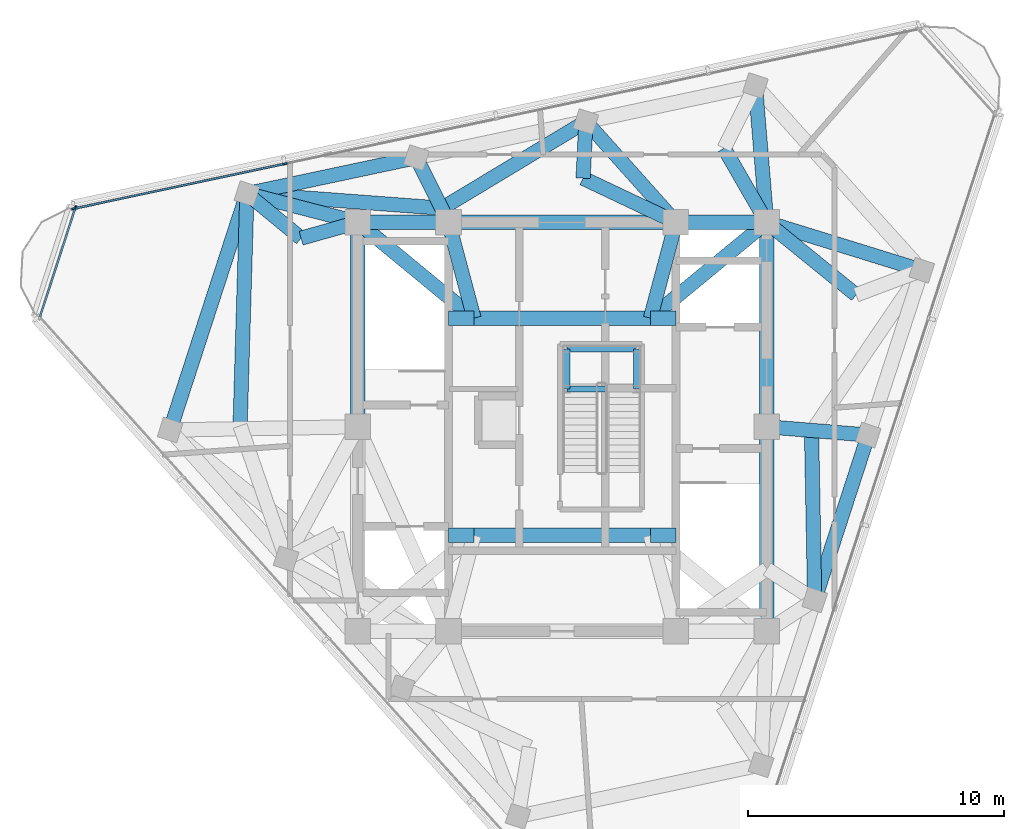
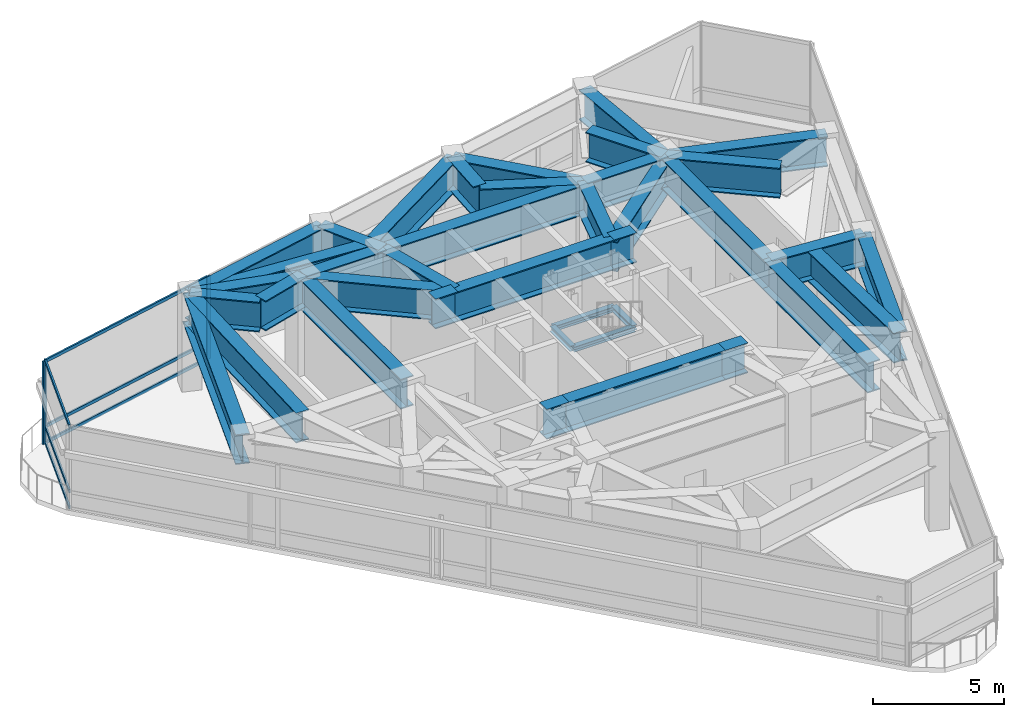
# One storey, part 4 of 11: 39 beams, 9 members, 2 elements without a shape of their own.
"""IFC4 building model written with IfcOpenShell, lengths in metres."""

import ifcopenshell
import ifcopenshell.guid

model = None  # the IFC model being written
_history = None  # IfcOwnerHistory: only IFC2X3 demands one
_inside = {}  # id of a spatial element -> (the spatial element, [elements in it])
_under = {}  # id of a project, library or spatial element -> (it, [spatial elements below it])
_declared = {}  # id of a project -> (the project, [libraries it declares])
_typed = {}  # id of a type object -> (the type object, [elements of that type])
_made_of = {}  # id of a material, layer set ... -> (it, [elements and type objects made of it])


def new_model(schema):
    """Start an empty IFC model of exactly this schema.

    Asked for "IFC4X3", IfcOpenShell would pick the latest addendum, in which some entities
    have other attributes; the version numbers below select the first issue.
    IFC2X3 requires an IfcOwnerHistory on every rooted entity: one is made here for all.
    """
    global model, _history
    if schema == "IFC4X3":
        model = ifcopenshell.file(schema_version=(4, 3, 0, 0))
    else:
        model = ifcopenshell.file(schema=schema)
    _inside.clear()
    _under.clear()
    _declared.clear()
    _typed.clear()
    _made_of.clear()
    _history = None
    if model.schema == "IFC2X3":
        org = make("IfcOrganization", Name="unknown")
        user = make(
            "IfcPersonAndOrganization",
            ThePerson=make("IfcPerson", FamilyName="unknown"),
            TheOrganization=org,
        )
        app = make(
            "IfcApplication",
            ApplicationDeveloper=org,
            Version="unknown",
            ApplicationFullName="unknown",
            ApplicationIdentifier="unknown",
        )
        _history = make(
            "IfcOwnerHistory",
            OwningUser=user,
            OwningApplication=app,
            ChangeAction="ADDED",
            CreationDate=0,
        )
    return model


def make(cls, **values):
    """One entity of the class cls with the attributes given. An attribute that is None is left unset."""
    return model.create_entity(
        cls, **{name: value for name, value in values.items() if value is not None}
    )


def rooted(cls, **values):
    """An entity with a GlobalId (a new one), such as an element, a storey or a relation."""
    return make(cls, GlobalId=ifcopenshell.guid.new(), OwnerHistory=_history, **values)


def si_unit(unit_type, name, prefix=None):
    """IfcSIUnit, for example si_unit("LENGTHUNIT", "METRE", prefix="MILLI")."""
    return make("IfcSIUnit", UnitType=unit_type, Prefix=prefix, Name=name)


def assignment(units):
    """IfcUnitAssignment: the units of a project."""
    return None if units is None else make("IfcUnitAssignment", Units=units)


def point(xyz):
    """IfcCartesianPoint."""
    return None if xyz is None else make("IfcCartesianPoint", Coordinates=xyz)


def direction(xyz):
    """IfcDirection."""
    return None if xyz is None else make("IfcDirection", DirectionRatios=xyz)


def frame(location, z_axis=None, x_axis=None):
    """IfcAxis2Placement3D, a coordinate frame: its origin and axes. An axis left out is left unset."""
    return make(
        "IfcAxis2Placement3D",
        Location=point(location),
        Axis=direction(z_axis),
        RefDirection=direction(x_axis),
    )


def frame_2d(location, x_axis=None):
    """IfcAxis2Placement2D, a coordinate frame in the plane: its origin and x axis."""
    return make(
        "IfcAxis2Placement2D", Location=point(location), RefDirection=direction(x_axis)
    )


def origin():
    """The frame at (0, 0, 0) with its axes left unset."""
    return frame((0.0, 0.0, 0.0))


def origin_2d():
    """The frame at (0, 0) in the plane with its x axis left unset."""
    return frame_2d((0.0, 0.0))


def place(relative_to, where):
    """IfcLocalPlacement: puts the frame where relative to a parent placement (None: the world)."""
    return make(
        "IfcLocalPlacement", PlacementRelTo=relative_to, RelativePlacement=where
    )


def context(
    kind, dimensions, precision=None, world=None, true_north=None, identifier=None
):
    """IfcGeometricRepresentationContext, for example the 3D "Model" context."""
    return make(
        "IfcGeometricRepresentationContext",
        ContextIdentifier=identifier,
        ContextType=kind,
        CoordinateSpaceDimension=dimensions,
        Precision=precision,
        WorldCoordinateSystem=world,
        TrueNorth=true_north,
    )


def subcontext(parent, identifier, kind, view, scale=None):
    """IfcGeometricRepresentationSubContext, for example "Body" below "Model"."""
    return make(
        "IfcGeometricRepresentationSubContext",
        ContextIdentifier=identifier,
        ContextType=kind,
        ParentContext=parent,
        TargetScale=scale,
        TargetView=view,
    )


def project(units=None, contexts=None):
    """IfcProject with its units and contexts."""
    return rooted(
        "IfcProject",
        Name="project",
        RepresentationContexts=contexts,
        UnitsInContext=assignment(units),
    )


def spatial(cls, under=None, at=None, **own):
    """A site, building, storey or space (cls), placed at a placement, below another one or the project."""
    s = rooted(cls, ObjectPlacement=at, **own)
    if under is not None:
        _under.setdefault(under.id(), (under, []))[1].append(s)
    return s


def profile(cls, at=None, kind="AREA", **sizes):
    """A parametric profile (cls). Its sizes go by their IFC names, for example OverallWidth=200.0."""
    return make(cls, ProfileType=kind, Position=at, **sizes)


def rectangle(**sizes):
    """IfcRectangleProfileDef."""
    return profile("IfcRectangleProfileDef", **sizes)


def i_section(**sizes):
    """IfcIShapeProfileDef."""
    return profile("IfcIShapeProfileDef", **sizes)


def extrude(swept, where, along, depth):
    """IfcExtrudedAreaSolid: the profile swept, set in the frame where, extruded along a direction by depth."""
    return make(
        "IfcExtrudedAreaSolid",
        SweptArea=swept,
        Position=where,
        ExtrudedDirection=direction(along),
        Depth=depth,
    )


def shape(context_of_items, identifier, shape_type, items):
    """IfcShapeRepresentation: the items that make up one representation, for example the "Body"."""
    return make(
        "IfcShapeRepresentation",
        ContextOfItems=context_of_items,
        RepresentationIdentifier=identifier,
        RepresentationType=shape_type,
        Items=items,
    )


def material(Name=None, Category=None):
    """IfcMaterial."""
    return make("IfcMaterial", Name=Name, Category=Category)


def layer(
    of_material, thickness, ventilated=None, Name=None, Category=None, Priority=None
):
    """IfcMaterialLayer: one layer of a wall or slab, of a material (None: an air gap)."""
    return make(
        "IfcMaterialLayer",
        Material=of_material,
        LayerThickness=thickness,
        IsVentilated=ventilated,
        Name=Name,
        Category=Category,
        Priority=Priority,
    )


def layer_set(layers, Name=None):
    """IfcMaterialLayerSet."""
    return make("IfcMaterialLayerSet", MaterialLayers=layers, LayerSetName=Name)


def material_profile(
    of_material, cross_section, Name=None, Category=None, Priority=None
):
    """IfcMaterialProfile: a cross section and its material."""
    return make(
        "IfcMaterialProfile",
        Name=Name,
        Material=of_material,
        Profile=cross_section,
        Priority=Priority,
        Category=Category,
    )


def profile_set(profiles, Name=None, composite=None):
    """IfcMaterialProfileSet."""
    return make(
        "IfcMaterialProfileSet",
        Name=Name,
        MaterialProfiles=profiles,
        CompositeProfile=composite,
    )


def made_of(thing, what):
    """Note that an element or type object is made of a material, layer set ...; save() writes the relation."""
    if what is not None:
        _made_of.setdefault(what.id(), (what, []))[1].append(thing)
    return thing


def type_object(cls, material=None, **own):
    """A type object (cls), such as IfcWallType, which elements share."""
    return made_of(rooted(cls, **own), material)


def element(
    cls,
    number,
    at=None,
    inside=None,
    cuts=None,
    type_object=None,
    material=None,
    context=None,
    identifier="Body",
    shape_type=None,
    held_by="IfcProductDefinitionShape",
    body=None,
    shapes=None,
    **own,
):
    """One element of the class cls, such as IfcWall. Its Tag is "e" and its number.

    at: its placement. inside: the storey or other place that contains it. cuts: it is an
    opening in that element (IfcRelVoidsElement). A single representation is given by context,
    identifier, shape_type and body (its items); several are given by shapes. held_by: the class
    of the entity that holds the representations. save() writes the other relations.
    """
    e = rooted(cls, Tag="e%d" % number, ObjectPlacement=at, **own)
    if body is not None:
        shapes = [shape(context, identifier, shape_type, body)]
    if shapes is not None:
        e.Representation = make(held_by, Representations=shapes)
    if inside is not None:
        _inside.setdefault(inside.id(), (inside, []))[1].append(e)
    if cuts is not None:
        rooted(
            "IfcRelVoidsElement", RelatingBuildingElement=cuts, RelatedOpeningElement=e
        )
    if type_object is not None:
        _typed.setdefault(type_object.id(), (type_object, []))[1].append(e)
    return made_of(e, material)


def aggregate(whole, parts):
    """IfcRelAggregates: a whole, such as a stair, and the parts it consists of."""
    return rooted("IfcRelAggregates", RelatingObject=whole, RelatedObjects=parts)


def save(model, path):
    """Write the relations noted so far, then the file.

    IfcRelAggregates (storeys below a building ...), IfcRelContainedInSpatialStructure (elements
    in a storey), IfcRelDefinesByType, IfcRelAssociatesMaterial and IfcRelDeclares: one each for
    every whole, place, type object, material and project.
    """
    for whole, parts in _under.values():
        aggregate(whole, parts)
    for where, things in _inside.values():
        rooted(
            "IfcRelContainedInSpatialStructure",
            RelatedElements=things,
            RelatingStructure=where,
        )
    for kind, things in _typed.values():
        rooted("IfcRelDefinesByType", RelatedObjects=things, RelatingType=kind)
    for what, things in _made_of.values():
        rooted("IfcRelAssociatesMaterial", RelatedObjects=things, RelatingMaterial=what)
    for by, libraries in _declared.values():
        rooted("IfcRelDeclares", RelatingContext=by, RelatedDefinitions=libraries)
    model.write(path)


model = new_model("IFC4")

# Units and contexts
model_context = context("Model", 3, precision=1e-05, world=origin(), true_north=direction((0.0, 1.0)))
body_context = subcontext(model_context, "Body", "Model", "MODEL_VIEW")
ifc_project = project(units=[si_unit("LENGTHUNIT", "METRE"), si_unit("AREAUNIT", "SQUARE_METRE"), si_unit("VOLUMEUNIT", "CUBIC_METRE"), si_unit("PLANEANGLEUNIT", "RADIAN"), si_unit("MASSUNIT", "GRAM", prefix="KILO")], contexts=[model_context])

# Site, building, storey
site_placement = place(None, origin())
site = spatial("IfcSite", under=ifc_project, at=site_placement, CompositionType="ELEMENT")
building_placement = place(site_placement, origin())
building = spatial("IfcBuilding", under=site, at=building_placement, Name="Terralouvre Media Tower", CompositionType="ELEMENT")
storey_placement = place(building_placement, frame((0.0, 0.0, 322.0)))
storey = spatial("IfcBuildingStorey", under=building, at=storey_placement, Name="L83", CompositionType="ELEMENT", Elevation=322.0)

# Curtain wall, members
ifc_material_1 = material(Name="Low-iron laminated double glazing with solar-control coating", Category="glass")
ifc_layer_1 = layer(ifc_material_1, 0.1650390625, Name="Faceted Glass-Point Crown Curtain Wall CW-06")
ifc_layer_set_1 = layer_set([ifc_layer_1], Name="Low-iron laminated double glazing with solar-control coating")
curtain_wall_type_1 = type_object("IfcCurtainWallType", Name="Faceted Glass-Point Crown Curtain Wall CW-06", PredefinedType="NOTDEFINED", material=ifc_layer_set_1)
curtain_wall_1_placement = place(storey_placement, origin())
curtain_wall_1 = element("IfcCurtainWall", 1, at=curtain_wall_1_placement, inside=storey, type_object=curtain_wall_type_1, Name="L83 Facade Curtain Wall F1", PredefinedType="NOTDEFINED")
ifc_material_2 = material(Name="Anodised extruded aluminium 6063-T6", Category="aluminium")
ifc_material_profile_1 = material_profile(ifc_material_2, rectangle(XDim=0.074951171875, YDim=0.14990234375, at=origin_2d()), Name="ALU 75x150")
ifc_profile_set_1 = profile_set([ifc_material_profile_1], Name="Anodised extruded aluminium 6063-T6")
member_type_1 = type_object("IfcMemberType", Name="Curtain-Wall Horizontal Transom TR-150", PredefinedType="USERDEFINED", material=ifc_profile_set_1)
member_1_placement = place(storey_placement, frame((-10.88720703125, 10.277099609375, 0.03759765625), z_axis=(-0.978144602541, -0.207925795705, 0.0), x_axis=(0.207925795705, -0.978144602541, 0.0)))
member_1 = element("IfcMember", 2, at=member_1_placement, type_object=member_type_1, Name="CW-06 transom 4.1", ObjectType="TRANSOM", PredefinedType="USERDEFINED", context=body_context, shape_type="SweptSolid", body=[
    extrude(rectangle(XDim=0.074951171875, YDim=0.14990234375, at=origin_2d()), origin(), (0.0, 0.0, 1.0), 8.362548828125),
])
member_2_placement = place(storey_placement, frame((-10.88720703125, 10.277099609375, 0.800048828125), z_axis=(-0.978144602541, -0.207925795705, 0.0), x_axis=(0.207925795705, -0.978144602541, 0.0)))
member_2 = element("IfcMember", 3, at=member_2_placement, type_object=member_type_1, Name="CW-06 transom 4.2", ObjectType="TRANSOM", PredefinedType="USERDEFINED", context=body_context, shape_type="SweptSolid", body=[
    extrude(rectangle(XDim=0.074951171875, YDim=0.14990234375, at=origin_2d()), origin(), (0.0, 0.0, 1.0), 8.362548828125),
])
member_3_placement = place(storey_placement, frame((-10.88720703125, 10.277099609375, 3.842529296875), z_axis=(-0.978144602541, -0.207925795705, 0.0), x_axis=(0.207925795705, -0.978144602541, 0.0)))
member_3 = element("IfcMember", 4, at=member_3_placement, type_object=member_type_1, Name="CW-06 transom 4.3", ObjectType="TRANSOM", PredefinedType="USERDEFINED", context=body_context, shape_type="SweptSolid", body=[
    extrude(rectangle(XDim=0.074951171875, YDim=0.14990234375, at=origin_2d()), origin(), (0.0, 0.0, 1.0), 8.362548828125),
])

ifc_material_3 = material(Name="Low-iron laminated double glazing with solar-control coating", Category="glass")
ifc_layer_2 = layer(ifc_material_3, 0.1650390625, Name="Rounded Wind-Corner Curved Glazing CW-04")
ifc_layer_set_2 = layer_set([ifc_layer_2], Name="Low-iron laminated double glazing with solar-control coating")
curtain_wall_type_2 = type_object("IfcCurtainWallType", Name="Rounded Wind-Corner Curved Glazing CW-04", PredefinedType="NOTDEFINED", material=ifc_layer_set_2)
curtain_wall_2_placement = place(storey_placement, origin())
curtain_wall_2 = element("IfcCurtainWall", 5, at=curtain_wall_2_placement, inside=storey, type_object=curtain_wall_type_2, Name="L83 Rounded Wind-Corner Curtain Wall C2", PredefinedType="NOTDEFINED")
member_4_placement = place(storey_placement, frame((-19.05517578125, 8.525634765625, 0.03759765625), z_axis=(-0.309026391202, -0.95105346303, 0.0), x_axis=(0.95105346303, -0.309026391202, 0.0)))
member_4 = element("IfcMember", 6, at=member_4_placement, type_object=member_type_1, Name="CW-04 transom 1.1", ObjectType="TRANSOM", PredefinedType="USERDEFINED", context=body_context, shape_type="SweptSolid", body=[
    extrude(rectangle(XDim=0.074951171875, YDim=0.14990234375, at=origin_2d()), origin(), (0.0, 0.0, 1.0), 4.43994140625),
])
member_5_placement = place(storey_placement, frame((-19.05517578125, 8.525634765625, 0.800048828125), z_axis=(-0.309026391202, -0.95105346303, 0.0), x_axis=(0.95105346303, -0.309026391202, 0.0)))
member_5 = element("IfcMember", 7, at=member_5_placement, type_object=member_type_1, Name="CW-04 transom 1.2", ObjectType="TRANSOM", PredefinedType="USERDEFINED", context=body_context, shape_type="SweptSolid", body=[
    extrude(rectangle(XDim=0.074951171875, YDim=0.14990234375, at=origin_2d()), origin(), (0.0, 0.0, 1.0), 4.43994140625),
])
member_6_placement = place(storey_placement, frame((-19.05517578125, 8.525634765625, 3.842529296875), z_axis=(-0.309026391202, -0.95105346303, 0.0), x_axis=(0.95105346303, -0.309026391202, 0.0)))
member_6 = element("IfcMember", 8, at=member_6_placement, type_object=member_type_1, Name="CW-04 transom 1.3", ObjectType="TRANSOM", PredefinedType="USERDEFINED", context=body_context, shape_type="SweptSolid", body=[
    extrude(rectangle(XDim=0.074951171875, YDim=0.14990234375, at=origin_2d()), origin(), (0.0, 0.0, 1.0), 4.43994140625),
])

# Member
ifc_material_4 = material(Name="Anodised extruded aluminium 6063-T6", Category="aluminium")
ifc_material_profile_2 = material_profile(ifc_material_4, rectangle(XDim=0.074951171875, YDim=0.179931640625, at=origin_2d()), Name="ALU 75x180")
ifc_profile_set_2 = profile_set([ifc_material_profile_2], Name="Anodised extruded aluminium 6063-T6")
member_type_2 = type_object("IfcMemberType", Name="Curtain-Wall Vertical Mullion ML-180", PredefinedType="MULLION", material=ifc_profile_set_2)
member_7_placement = place(storey_placement, frame((-10.850341796875, 10.284912109375, 0.0), z_axis=(0.0, 0.0, 1.0), x_axis=(0.207911534473, -0.978147633966, 0.0)))
member_7 = element("IfcMember", 9, at=member_7_placement, type_object=member_type_2, Name="CW-06 mullion 4", PredefinedType="MULLION", context=body_context, shape_type="SweptSolid", body=[
    extrude(rectangle(XDim=0.074951171875, YDim=0.179931640625, at=origin_2d()), origin(), (0.0, 0.0, 1.0), 3.8798828125),
])

member_8_placement = place(storey_placement, frame((-19.103515625, 8.53076171875, 0.0), z_axis=(0.0, 0.0, 1.0), x_axis=(0.207911534473, -0.978147633966, 0.0)))
member_8 = element("IfcMember", 10, at=member_8_placement, type_object=member_type_2, Name="CW-06 mullion 5", PredefinedType="MULLION", context=body_context, shape_type="SweptSolid", body=[
    extrude(rectangle(XDim=0.074951171875, YDim=0.179931640625, at=origin_2d()), origin(), (0.0, 0.0, 1.0), 3.8798828125),
])

aggregate(curtain_wall_1, [member_7, member_8, member_1, member_2, member_3])

member_9_placement = place(storey_placement, frame((-19.043701171875, 8.561279296875, 0.0), z_axis=(0.0, 0.0, 1.0), x_axis=(0.951056225058, -0.309017890708, 0.0)))
member_9 = element("IfcMember", 11, at=member_9_placement, type_object=member_type_2, Name="CW-04 mullion 1", PredefinedType="MULLION", context=body_context, shape_type="SweptSolid", body=[
    extrude(rectangle(XDim=0.074951171875, YDim=0.179931640625, at=origin_2d()), origin(), (0.0, 0.0, 1.0), 3.8798828125),
])

aggregate(curtain_wall_2, [member_9, member_4, member_5, member_6])

# Beams
ifc_material_5 = material(Name="Structural steel S355J2", Category="steel")
ifc_material_profile_3 = material_profile(ifc_material_5, i_section(OverallWidth=0.239990234375, OverallDepth=0.239990234375, WebThickness=0.010009765625, FlangeThickness=0.01708984375, at=origin_2d()), Name="HEB 240")
ifc_profile_set_3 = profile_set([ifc_material_profile_3], Name="Structural steel S355J2")
beam_type_1 = type_object("IfcBeamType", Name="Opening Lintel Beam LN-240H (HEB 240)", PredefinedType="LINTEL", material=ifc_profile_set_3)
for number, where, z_axis, x_axis, name in (
    (12, (0.179931640625, 1.47998046875, 1.97998046875), (1.0, 0.0, 0.0), (0.0, 1.0, 0.0), "L83 ST-05 Landing Support Beam 1S"),
    (13, (0.179931640625, 3.050048828125, 1.97998046875), (1.0, 0.0, 0.0), (0.0, 1.0, 0.0), "L83 ST-05 Landing Support Beam 1N"),
):
    element("IfcBeam", number, at=place(storey_placement, frame(where, z_axis=z_axis, x_axis=x_axis)), inside=storey, type_object=beam_type_1, Name=name, PredefinedType="LINTEL", context=body_context, shape_type="SweptSolid", body=[
        extrude(i_section(OverallWidth=0.239990234375, OverallDepth=0.239990234375, WebThickness=0.010009765625, FlangeThickness=0.01708984375, at=origin_2d()), origin(), (0.0, 0.0, 1.0), 2.719970703125),
    ])
for number, where, z_axis, x_axis, name in (
    (14, (0.179931640625, 1.47998046875, 1.97998046875), (0.0, 1.0, 0.0), (-1.0, 0.0, 0.0), "L83 ST-05 Landing Support Beam 1WC"),
    (15, (2.89990234375, 1.47998046875, 1.97998046875), (0.0, 1.0, 0.0), (-1.0, 0.0, 0.0), "L83 ST-05 Landing Support Beam 1EC"),
):
    element("IfcBeam", number, at=place(storey_placement, frame(where, z_axis=z_axis, x_axis=x_axis)), inside=storey, type_object=beam_type_1, Name=name, PredefinedType="LINTEL", context=body_context, shape_type="SweptSolid", body=[
        extrude(i_section(OverallWidth=0.239990234375, OverallDepth=0.239990234375, WebThickness=0.010009765625, FlangeThickness=0.01708984375, at=origin_2d()), origin(), (0.0, 0.0, 1.0), 1.570068359375),
    ])
ifc_material_6 = material(Name="Structural steel S460M", Category="steel")
ifc_material_profile_4 = material_profile(ifc_material_6, i_section(OverallWidth=0.56005859375, OverallDepth=1.39990234375, WebThickness=0.031982421875, FlangeThickness=0.050048828125, at=origin_2d()), Name="TG 1400x560")
ifc_profile_set_4 = profile_set([ifc_material_profile_4], Name="Structural steel S460M")
beam_type_2 = type_object("IfcBeamType", Name="Welded Transfer Girder TG-1400 (TG 1400x560)", PredefinedType="USERDEFINED", material=ifc_profile_set_4)
beam_1_placement = place(storey_placement, frame((-4.449951171875, -4.25, 3.679931640625), z_axis=(1.0, 0.0, 0.0), x_axis=(0.0, 1.0, 0.0)))
element("IfcBeam", 16, at=beam_1_placement, inside=storey, type_object=beam_type_2, Name="L83 Framing Beam BM-L83-CTGS1", ObjectType="TRANSFER GIRDER", PredefinedType="USERDEFINED", context=body_context, shape_type="SweptSolid", body=[
    extrude(i_section(OverallWidth=0.56005859375, OverallDepth=1.39990234375, WebThickness=0.031982421875, FlangeThickness=0.050048828125, at=origin_2d()), origin(), (0.0, 0.0, 1.0), 1.0),
])
beam_2_placement = place(storey_placement, frame((-3.449951171875, -4.25, 3.679931640625), z_axis=(1.0, 0.0, 0.0), x_axis=(0.0, 1.0, 0.0)))
element("IfcBeam", 17, at=beam_2_placement, inside=storey, type_object=beam_type_2, Name="L83 Framing Beam BM-L83-CTGS2", ObjectType="TRANSFER GIRDER", PredefinedType="USERDEFINED", context=body_context, shape_type="SweptSolid", body=[
    extrude(i_section(OverallWidth=0.56005859375, OverallDepth=1.39990234375, WebThickness=0.031982421875, FlangeThickness=0.050048828125, at=origin_2d()), origin(), (0.0, 0.0, 1.0), 6.89990234375),
])
for number, where, z_axis, x_axis, name in (
    (18, (3.449951171875, -4.25, 3.679931640625), (1.0, 0.0, 0.0), (0.0, 1.0, 0.0), "L83 Framing Beam BM-L83-CTGS3"),
    (19, (-4.449951171875, 4.25, 3.679931640625), (1.0, 0.0, 0.0), (0.0, 1.0, 0.0), "L83 Framing Beam BM-L83-CTGN1"),
):
    element("IfcBeam", number, at=place(storey_placement, frame(where, z_axis=z_axis, x_axis=x_axis)), inside=storey, type_object=beam_type_2, Name=name, ObjectType="TRANSFER GIRDER", PredefinedType="USERDEFINED", context=body_context, shape_type="SweptSolid", body=[
        extrude(i_section(OverallWidth=0.56005859375, OverallDepth=1.39990234375, WebThickness=0.031982421875, FlangeThickness=0.050048828125, at=origin_2d()), origin(), (0.0, 0.0, 1.0), 1.0),
    ])
beam_3_placement = place(storey_placement, frame((-3.449951171875, 4.25, 3.679931640625), z_axis=(1.0, 0.0, 0.0), x_axis=(0.0, 1.0, 0.0)))
element("IfcBeam", 20, at=beam_3_placement, inside=storey, type_object=beam_type_2, Name="L83 Framing Beam BM-L83-CTGN2", ObjectType="TRANSFER GIRDER", PredefinedType="USERDEFINED", context=body_context, shape_type="SweptSolid", body=[
    extrude(i_section(OverallWidth=0.56005859375, OverallDepth=1.39990234375, WebThickness=0.031982421875, FlangeThickness=0.050048828125, at=origin_2d()), origin(), (0.0, 0.0, 1.0), 6.89990234375),
])
beam_4_placement = place(storey_placement, frame((3.449951171875, 4.25, 3.679931640625), z_axis=(1.0, 0.0, 0.0), x_axis=(0.0, 1.0, 0.0)))
element("IfcBeam", 21, at=beam_4_placement, inside=storey, type_object=beam_type_2, Name="L83 Framing Beam BM-L83-CTGN3", ObjectType="TRANSFER GIRDER", PredefinedType="USERDEFINED", context=body_context, shape_type="SweptSolid", body=[
    extrude(i_section(OverallWidth=0.56005859375, OverallDepth=1.39990234375, WebThickness=0.031982421875, FlangeThickness=0.050048828125, at=origin_2d()), origin(), (0.0, 0.0, 1.0), 1.0),
])
for number, where, z_axis, x_axis, name in (
    (22, (8.0, -8.0, 3.679931640625), (0.0, 1.0, 0.0), (-1.0, 0.0, 0.0), "L83 Framing Beam BM-L83-CPR04"),
    (23, (8.0, 0.0, 3.679931640625), (0.0, 1.0, 0.0), (-1.0, 0.0, 0.0), "L83 Framing Beam BM-L83-CPR05"),
):
    element("IfcBeam", number, at=place(storey_placement, frame(where, z_axis=z_axis, x_axis=x_axis)), inside=storey, type_object=beam_type_2, Name=name, ObjectType="TRANSFER GIRDER", PredefinedType="USERDEFINED", context=body_context, shape_type="SweptSolid", body=[
        extrude(i_section(OverallWidth=0.56005859375, OverallDepth=1.39990234375, WebThickness=0.031982421875, FlangeThickness=0.050048828125, at=origin_2d()), origin(), (0.0, 0.0, 1.0), 8.0),
    ])
beam_5_placement = place(storey_placement, frame((8.0, 8.0, 3.679931640625), z_axis=(-1.0, 0.0, 0.0), x_axis=(0.0, -1.0, 0.0)))
element("IfcBeam", 24, at=beam_5_placement, inside=storey, type_object=beam_type_2, Name="L83 Framing Beam BM-L83-CPR06", ObjectType="TRANSFER GIRDER", PredefinedType="USERDEFINED", context=body_context, shape_type="SweptSolid", body=[
    extrude(i_section(OverallWidth=0.56005859375, OverallDepth=1.39990234375, WebThickness=0.031982421875, FlangeThickness=0.050048828125, at=origin_2d()), origin(), (0.0, 0.0, 1.0), 3.550048828125),
])
beam_6_placement = place(storey_placement, frame((4.449951171875, 8.0, 3.679931640625), z_axis=(-1.0, 0.0, 0.0), x_axis=(0.0, -1.0, 0.0)))
element("IfcBeam", 25, at=beam_6_placement, inside=storey, type_object=beam_type_2, Name="L83 Framing Beam BM-L83-CPR07", ObjectType="TRANSFER GIRDER", PredefinedType="USERDEFINED", context=body_context, shape_type="SweptSolid", body=[
    extrude(i_section(OverallWidth=0.56005859375, OverallDepth=1.39990234375, WebThickness=0.031982421875, FlangeThickness=0.050048828125, at=origin_2d()), origin(), (0.0, 0.0, 1.0), 8.89990234375),
])
beam_7_placement = place(storey_placement, frame((-4.449951171875, 8.0, 3.679931640625), z_axis=(-1.0, 0.0, 0.0), x_axis=(0.0, -1.0, 0.0)))
element("IfcBeam", 26, at=beam_7_placement, inside=storey, type_object=beam_type_2, Name="L83 Framing Beam BM-L83-CPR08", ObjectType="TRANSFER GIRDER", PredefinedType="USERDEFINED", context=body_context, shape_type="SweptSolid", body=[
    extrude(i_section(OverallWidth=0.56005859375, OverallDepth=1.39990234375, WebThickness=0.031982421875, FlangeThickness=0.050048828125, at=origin_2d()), origin(), (0.0, 0.0, 1.0), 3.550048828125),
])
beam_8_placement = place(storey_placement, frame((-8.0, 8.0, 3.679931640625), z_axis=(0.0, -1.0, 0.0), x_axis=(1.0, 0.0, 0.0)))
element("IfcBeam", 27, at=beam_8_placement, inside=storey, type_object=beam_type_2, Name="L83 Framing Beam BM-L83-CPR09", ObjectType="TRANSFER GIRDER", PredefinedType="USERDEFINED", context=body_context, shape_type="SweptSolid", body=[
    extrude(i_section(OverallWidth=0.56005859375, OverallDepth=1.39990234375, WebThickness=0.031982421875, FlangeThickness=0.050048828125, at=origin_2d()), origin(), (0.0, 0.0, 1.0), 8.0),
])
for number, where, z_axis, x_axis, name in (
    (28, (9.87646484375, -6.7734375, 3.679931640625), (0.308991621469, 0.951064760078, 0.0), (-0.951064760078, 0.308991621469, 0.0), "L83 Framing Beam BM-L83-PR06"),
    (29, (-5.7041015625, 10.5302734375, 3.679931640625), (-0.978146769126, -0.207915603186, 0.0), (0.207915603186, -0.978146769126, 0.0), "L83 Framing Beam BM-L83-PR11"),
):
    element("IfcBeam", number, at=place(storey_placement, frame(where, z_axis=z_axis, x_axis=x_axis)), inside=storey, type_object=beam_type_2, Name=name, ObjectType="TRANSFER GIRDER", PredefinedType="USERDEFINED", context=body_context, shape_type="SweptSolid", body=[
        extrude(i_section(OverallWidth=0.56005859375, OverallDepth=1.39990234375, WebThickness=0.031982421875, FlangeThickness=0.050048828125, at=origin_2d()), origin(), (0.0, 0.0, 1.0), 6.780029296875),
    ])
beam_9_placement = place(storey_placement, frame((-12.3359375, 9.12060546875, 3.679931640625), z_axis=(-0.309003189113, -0.951061001786, 0.0), x_axis=(0.951061001786, -0.309003189113, 0.0)))
element("IfcBeam", 30, at=beam_9_placement, inside=storey, type_object=beam_type_2, Name="L83 Framing Beam BM-L83-PR12", ObjectType="TRANSFER GIRDER", PredefinedType="USERDEFINED", context=body_context, shape_type="SweptSolid", body=[
    extrude(i_section(OverallWidth=0.56005859375, OverallDepth=1.39990234375, WebThickness=0.031982421875, FlangeThickness=0.050048828125, at=origin_2d()), origin(), (0.0, 0.0, 1.0), 9.724365234375),
])
beam_10_placement = place(storey_placement, frame((8.0, 0.0, 3.679931640625), z_axis=(0.996664305478, -0.081610429391, 0.0), x_axis=(0.081610429391, 0.996664305478, 0.0)))
element("IfcBeam", 31, at=beam_10_placement, inside=storey, type_object=beam_type_2, Name="L83 Framing Beam BM-L83-RD07", ObjectType="TRANSFER GIRDER", PredefinedType="USERDEFINED", context=body_context, shape_type="SweptSolid", body=[
    extrude(i_section(OverallWidth=0.56005859375, OverallDepth=1.39990234375, WebThickness=0.031982421875, FlangeThickness=0.050048828125, at=origin_2d()), origin(), (0.0, 0.0, 1.0), 3.984619140625),
])
beam_11_placement = place(storey_placement, frame((8.0, 8.0, 3.679931640625), z_axis=(0.955311483741, -0.295601030162, 0.0), x_axis=(0.295601030162, 0.955311483741, 0.0)))
element("IfcBeam", 32, at=beam_11_placement, inside=storey, type_object=beam_type_2, Name="L83 Framing Beam BM-L83-RD08", ObjectType="TRANSFER GIRDER", PredefinedType="USERDEFINED", context=body_context, shape_type="SweptSolid", body=[
    extrude(i_section(OverallWidth=0.56005859375, OverallDepth=1.39990234375, WebThickness=0.031982421875, FlangeThickness=0.050048828125, at=origin_2d()), origin(), (0.0, 0.0, 1.0), 6.350341796875),
])
beam_12_placement = place(storey_placement, frame((8.0, 8.0, 3.679931640625), z_axis=(-0.08205170887, 0.996628073592, 0.0), x_axis=(-0.996628073592, -0.08205170887, 0.0)))
element("IfcBeam", 33, at=beam_12_placement, inside=storey, type_object=beam_type_2, Name="L83 Framing Beam BM-L83-RD09", ObjectType="TRANSFER GIRDER", PredefinedType="USERDEFINED", context=body_context, shape_type="SweptSolid", body=[
    extrude(i_section(OverallWidth=0.56005859375, OverallDepth=1.39990234375, WebThickness=0.031982421875, FlangeThickness=0.050048828125, at=origin_2d()), origin(), (0.0, 0.0, 1.0), 5.36767578125),
])
beam_13_placement = place(storey_placement, frame((4.449951171875, 8.0, 3.679931640625), z_axis=(-0.666480164803, 0.745522762847, 0.0), x_axis=(-0.745522762847, -0.666480164803, 0.0)))
element("IfcBeam", 34, at=beam_13_placement, inside=storey, type_object=beam_type_2, Name="L83 Framing Beam BM-L83-RD10", ObjectType="TRANSFER GIRDER", PredefinedType="USERDEFINED", context=body_context, shape_type="SweptSolid", body=[
    extrude(i_section(OverallWidth=0.56005859375, OverallDepth=1.39990234375, WebThickness=0.031982421875, FlangeThickness=0.050048828125, at=origin_2d()), origin(), (0.0, 0.0, 1.0), 5.284912109375),
])
beam_14_placement = place(storey_placement, frame((-4.449951171875, 8.0, 3.679931640625), z_axis=(-0.444098653109, 0.895977893872, 0.0), x_axis=(-0.895977893872, -0.444098653109, 0.0)))
element("IfcBeam", 35, at=beam_14_placement, inside=storey, type_object=beam_type_2, Name="L83 Framing Beam BM-L83-RD11", ObjectType="TRANSFER GIRDER", PredefinedType="USERDEFINED", context=body_context, shape_type="SweptSolid", body=[
    extrude(i_section(OverallWidth=0.56005859375, OverallDepth=1.39990234375, WebThickness=0.031982421875, FlangeThickness=0.050048828125, at=origin_2d()), origin(), (0.0, 0.0, 1.0), 2.823974609375),
])
beam_15_placement = place(storey_placement, frame((-8.0, 8.0, 3.679931640625), z_axis=(-0.968187910251, 0.250224240318, 0.0), x_axis=(-0.250224240318, -0.968187910251, 0.0)))
element("IfcBeam", 36, at=beam_15_placement, inside=storey, type_object=beam_type_2, Name="L83 Framing Beam BM-L83-RD12", ObjectType="TRANSFER GIRDER", PredefinedType="USERDEFINED", context=body_context, shape_type="SweptSolid", body=[
    extrude(i_section(OverallWidth=0.56005859375, OverallDepth=1.39990234375, WebThickness=0.031982421875, FlangeThickness=0.050048828125, at=origin_2d()), origin(), (0.0, 0.0, 1.0), 4.478515625),
])
beam_16_placement = place(storey_placement, frame((3.449951171875, 4.25, 3.679931640625), z_axis=(0.25766265056, 0.966234939601, 0.0), x_axis=(-0.966234939601, 0.25766265056, 0.0)))
element("IfcBeam", 37, at=beam_16_placement, inside=storey, type_object=beam_type_2, Name="L83 Framing Beam BM-L83-TR03S1", ObjectType="TRANSFER GIRDER", PredefinedType="USERDEFINED", context=body_context, shape_type="SweptSolid", body=[
    extrude(i_section(OverallWidth=0.56005859375, OverallDepth=1.39990234375, WebThickness=0.031982421875, FlangeThickness=0.050048828125, at=origin_2d()), origin(), (0.0, 0.0, 1.0), 3.881103515625),
])
beam_17_placement = place(storey_placement, frame((3.449951171875, 4.25, 3.47998046875), z_axis=(0.771688742944, 0.636000380513, 0.0), x_axis=(-0.636000380513, 0.771688742944, 0.0)))
element("IfcBeam", 38, at=beam_17_placement, inside=storey, type_object=beam_type_2, Name="L83 Framing Beam BM-L83-TR03S2", ObjectType="TRANSFER GIRDER", PredefinedType="USERDEFINED", context=body_context, shape_type="SweptSolid", body=[
    extrude(i_section(OverallWidth=0.56005859375, OverallDepth=1.39990234375, WebThickness=0.031982421875, FlangeThickness=0.050048828125, at=origin_2d()), origin(), (0.0, 0.0, 1.0), 5.896240234375),
])
beam_18_placement = place(storey_placement, frame((-3.449951171875, 4.25, 3.679931640625), z_axis=(-0.25766265056, 0.966234939601, 0.0), x_axis=(-0.966234939601, -0.25766265056, 0.0)))
element("IfcBeam", 39, at=beam_18_placement, inside=storey, type_object=beam_type_2, Name="L83 Framing Beam BM-L83-TR04S1", ObjectType="TRANSFER GIRDER", PredefinedType="USERDEFINED", context=body_context, shape_type="SweptSolid", body=[
    extrude(i_section(OverallWidth=0.56005859375, OverallDepth=1.39990234375, WebThickness=0.031982421875, FlangeThickness=0.050048828125, at=origin_2d()), origin(), (0.0, 0.0, 1.0), 3.881103515625),
])
beam_19_placement = place(storey_placement, frame((-3.449951171875, 4.25, 3.679931640625), z_axis=(-0.771688742944, 0.636000380513, 0.0), x_axis=(-0.636000380513, -0.771688742944, 0.0)))
element("IfcBeam", 40, at=beam_19_placement, inside=storey, type_object=beam_type_2, Name="L83 Framing Beam BM-L83-TR04S2", ObjectType="TRANSFER GIRDER", PredefinedType="USERDEFINED", context=body_context, shape_type="SweptSolid", body=[
    extrude(i_section(OverallWidth=0.56005859375, OverallDepth=1.39990234375, WebThickness=0.031982421875, FlangeThickness=0.050048828125, at=origin_2d()), origin(), (0.0, 0.0, 1.0), 5.896240234375),
])
beam_20_placement = place(storey_placement, frame((9.7548828125, -0.204345703125, 3.679931640625), z_axis=(0.018505025686, -0.999828767352, 0.0), x_axis=(0.999828767352, 0.018505025686, 0.0)))
element("IfcBeam", 41, at=beam_20_placement, inside=storey, type_object=beam_type_2, Name="L83 Framing Beam BM-L83-TR07S1", ObjectType="TRANSFER GIRDER", PredefinedType="USERDEFINED", context=body_context, shape_type="SweptSolid", body=[
    extrude(i_section(OverallWidth=0.56005859375, OverallDepth=1.39990234375, WebThickness=0.031982421875, FlangeThickness=0.050048828125, at=origin_2d()), origin(), (0.0, 0.0, 1.0), 6.5703125),
])
beam_21_placement = place(storey_placement, frame((11.497802734375, 5.159423828125, 3.679931640625), z_axis=(-0.77626479497, 0.630406986074, 0.0), x_axis=(-0.630406986074, -0.77626479497, 0.0)))
element("IfcBeam", 42, at=beam_21_placement, inside=storey, type_object=beam_type_2, Name="L83 Framing Beam BM-L83-TR08S2", ObjectType="TRANSFER GIRDER", PredefinedType="USERDEFINED", context=body_context, shape_type="SweptSolid", body=[
    extrude(i_section(OverallWidth=0.56005859375, OverallDepth=1.39990234375, WebThickness=0.031982421875, FlangeThickness=0.050048828125, at=origin_2d()), origin(), (0.0, 0.0, 1.0), 4.505859375),
])
beam_22_placement = place(storey_placement, frame((6.3330078125, 10.8955078125, 3.679931640625), z_axis=(0.498937836226, -0.866637776457, 0.0), x_axis=(0.866637776457, 0.498937836226, 0.0)))
element("IfcBeam", 43, at=beam_22_placement, inside=storey, type_object=beam_type_2, Name="L83 Framing Beam BM-L83-TR09S2", ObjectType="TRANSFER GIRDER", PredefinedType="USERDEFINED", context=body_context, shape_type="SweptSolid", body=[
    extrude(i_section(OverallWidth=0.56005859375, OverallDepth=1.39990234375, WebThickness=0.031982421875, FlangeThickness=0.050048828125, at=origin_2d()), origin(), (0.0, 0.0, 1.0), 3.341064453125),
])
beam_23_placement = place(storey_placement, frame((0.81640625, 9.722900390625, 3.679931640625), z_axis=(0.050151544819, 0.998741619515, 0.0), x_axis=(-0.998741619515, 0.050151544819, 0.0)))
element("IfcBeam", 44, at=beam_23_placement, inside=storey, type_object=beam_type_2, Name="L83 Framing Beam BM-L83-TR10S1", ObjectType="TRANSFER GIRDER", PredefinedType="USERDEFINED", context=body_context, shape_type="SweptSolid", body=[
    extrude(i_section(OverallWidth=0.56005859375, OverallDepth=1.39990234375, WebThickness=0.031982421875, FlangeThickness=0.050048828125, at=origin_2d()), origin(), (0.0, 0.0, 1.0), 2.2197265625),
])
beam_24_placement = place(storey_placement, frame((0.81640625, 9.722900390625, 3.679931640625), z_axis=(0.903569644971, -0.428441240648, 0.0), x_axis=(0.428441240648, 0.903569644971, 0.0)))
element("IfcBeam", 45, at=beam_24_placement, inside=storey, type_object=beam_type_2, Name="L83 Framing Beam BM-L83-TR10S2", ObjectType="TRANSFER GIRDER", PredefinedType="USERDEFINED", context=body_context, shape_type="SweptSolid", body=[
    extrude(i_section(OverallWidth=0.56005859375, OverallDepth=1.39990234375, WebThickness=0.031982421875, FlangeThickness=0.050048828125, at=origin_2d()), origin(), (0.0, 0.0, 1.0), 4.021240234375),
])
beam_25_placement = place(storey_placement, frame((-4.700439453125, 8.55029296875, 3.679931640625), z_axis=(0.856635980105, 0.515921309494, 0.0), x_axis=(-0.515921309494, 0.856635980105, 0.0)))
element("IfcBeam", 46, at=beam_25_placement, inside=storey, type_object=beam_type_2, Name="L83 Framing Beam BM-L83-TR11S1", ObjectType="TRANSFER GIRDER", PredefinedType="USERDEFINED", context=body_context, shape_type="SweptSolid", body=[
    extrude(i_section(OverallWidth=0.56005859375, OverallDepth=1.39990234375, WebThickness=0.031982421875, FlangeThickness=0.050048828125, at=origin_2d()), origin(), (0.0, 0.0, 1.0), 6.570068359375),
])
beam_26_placement = place(storey_placement, frame((-4.700439453125, 8.55029296875, 3.679931640625), z_axis=(-0.997222151859, 0.074484762486, 0.0), x_axis=(-0.074484762486, -0.997222151859, 0.0)))
element("IfcBeam", 47, at=beam_26_placement, inside=storey, type_object=beam_type_2, Name="L83 Framing Beam BM-L83-TR11S2", ObjectType="TRANSFER GIRDER", PredefinedType="USERDEFINED", context=body_context, shape_type="SweptSolid", body=[
    extrude(i_section(OverallWidth=0.56005859375, OverallDepth=1.39990234375, WebThickness=0.031982421875, FlangeThickness=0.050048828125, at=origin_2d()), origin(), (0.0, 0.0, 1.0), 7.65673828125),
])
beam_27_placement = place(storey_placement, frame((-10.217041015625, 7.377685546875, 3.679931640625), z_axis=(0.962789841766, 0.27025121756, 0.0), x_axis=(-0.27025121756, 0.962789841766, 0.0)))
element("IfcBeam", 48, at=beam_27_placement, inside=storey, type_object=beam_type_2, Name="L83 Framing Beam BM-L83-TR12S1", ObjectType="TRANSFER GIRDER", PredefinedType="USERDEFINED", context=body_context, shape_type="SweptSolid", body=[
    extrude(i_section(OverallWidth=0.56005859375, OverallDepth=1.39990234375, WebThickness=0.031982421875, FlangeThickness=0.050048828125, at=origin_2d()), origin(), (0.0, 0.0, 1.0), 2.302734375),
])
beam_28_placement = place(storey_placement, frame((-10.217041015625, 7.377685546875, 3.679931640625), z_axis=(-0.772297420548, 0.635261122859, 0.0), x_axis=(-0.635261122859, -0.772297420548, 0.0)))
element("IfcBeam", 49, at=beam_28_placement, inside=storey, type_object=beam_type_2, Name="L83 Framing Beam BM-L83-TR12S2", ObjectType="TRANSFER GIRDER", PredefinedType="USERDEFINED", context=body_context, shape_type="SweptSolid", body=[
    extrude(i_section(OverallWidth=0.56005859375, OverallDepth=1.39990234375, WebThickness=0.031982421875, FlangeThickness=0.050048828125, at=origin_2d()), origin(), (0.0, 0.0, 1.0), 2.74365234375),
])
beam_29_placement = place(storey_placement, frame((-12.602294921875, 0.036865234375, 3.679931640625), z_axis=(0.029309841652, 0.999570374302, 0.0), x_axis=(-0.999570374302, 0.029309841652, 0.0)))
element("IfcBeam", 50, at=beam_29_placement, inside=storey, type_object=beam_type_2, Name="L83 Framing Beam BM-L83-TR13S2", ObjectType="TRANSFER GIRDER", PredefinedType="USERDEFINED", context=body_context, shape_type="SweptSolid", body=[
    extrude(i_section(OverallWidth=0.56005859375, OverallDepth=1.39990234375, WebThickness=0.031982421875, FlangeThickness=0.050048828125, at=origin_2d()), origin(), (0.0, 0.0, 1.0), 9.087646484375),
])

save(model, "model.ifc")
